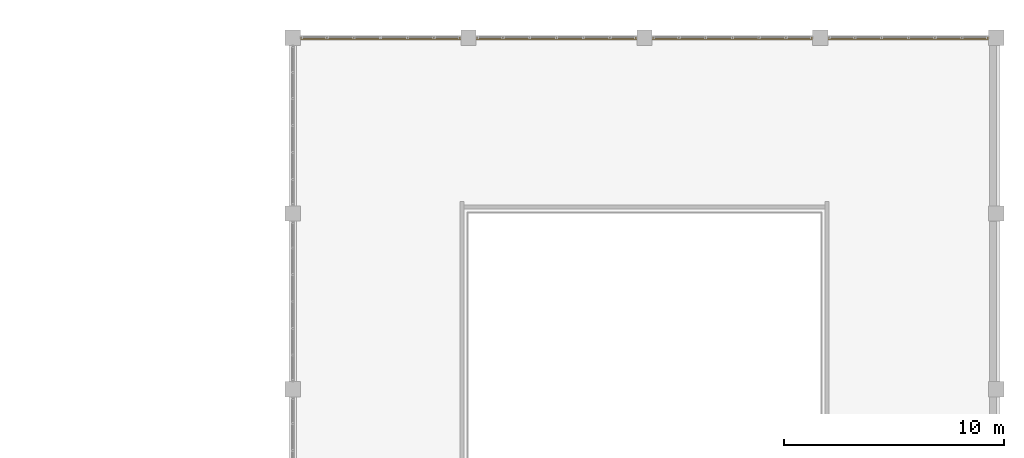
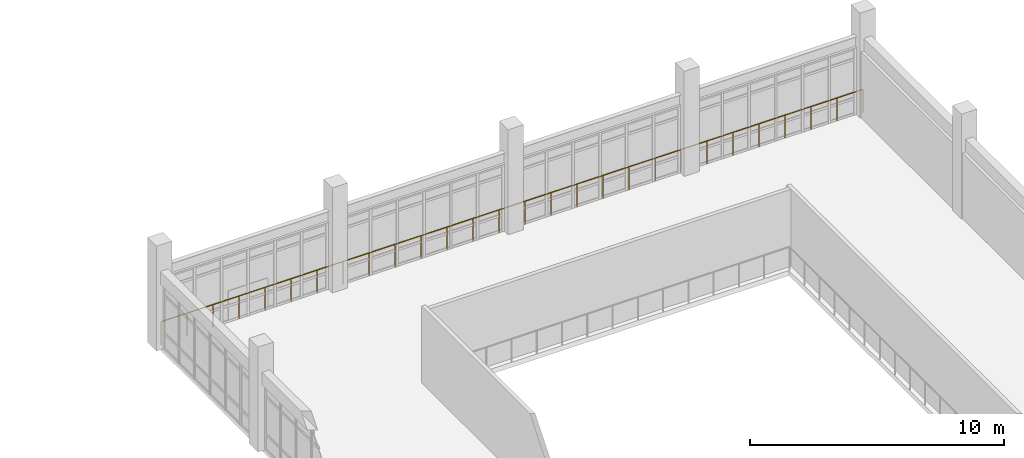
# One storey, part 159 of 159: 1 railing.
"""IFC4 building model written with IfcOpenShell, lengths in metres."""

from ifc_helpers import new_model, si_unit, direction, frame, origin, origin_2d, place, context, subcontext, project, spatial, circle, extrude, material, type_object, element, save


model = new_model("IFC4")

# Units and contexts
model_context = context("Model", 3, precision=1e-05, world=origin(), true_north=direction((0.0, 1.0)))
body_context = subcontext(model_context, "Body", "Model", "MODEL_VIEW")
ifc_project = project(units=[si_unit("LENGTHUNIT", "METRE"), si_unit("AREAUNIT", "SQUARE_METRE"), si_unit("VOLUMEUNIT", "CUBIC_METRE"), si_unit("PLANEANGLEUNIT", "RADIAN"), si_unit("MASSUNIT", "GRAM", prefix="KILO")], contexts=[model_context])

# Site, building, storey
site_placement = place(None, origin())
site = spatial("IfcSite", under=ifc_project, at=site_placement, CompositionType="ELEMENT")
building_placement = place(site_placement, origin())
building = spatial("IfcBuilding", under=site, at=building_placement, Name="Celadon Cloister-Ring School", CompositionType="ELEMENT")
storey_placement = place(building_placement, frame((0.0, 0.0, 4.5)))
storey = spatial("IfcBuildingStorey", under=building, at=storey_placement, Name="L01", CompositionType="ELEMENT", Elevation=4.5)

# Railing
ifc_material = material(Name="Structural steel S355JR", Category="steel")
railing_type = type_object("IfcRailingType", Name="RL-BL1", PredefinedType="BALUSTRADE", material=ifc_material)
railing_placement = place(storey_placement, frame((173.9599609375, 113.9599609375, 0.0)))
element("IfcRailing", 1, at=railing_placement, inside=storey, type_object=railing_type, Name="Terrace Balustrade 0415", PredefinedType="BALUSTRADE", context=body_context, shape_type="SweptSolid", body=[
    extrude(circle(Radius=0.02392578125, at=origin_2d()), frame((0.0, 0.0, 1.09619140625), z_axis=(-1.0, 0.0, 0.0), x_axis=(0.0, -1.0, 0.0)), (0.0, 0.0, 1.0), 31.919921875),
    extrude(circle(Radius=0.02099609375, at=origin_2d()), origin(), (0.0, 0.0, 1.0), 1.072021484375),
    extrude(circle(Radius=0.02099609375, at=origin_2d()), frame((-1.18212890625, 0.0, 0.0)), (0.0, 0.0, 1.0), 1.072021484375),
    extrude(circle(Radius=0.02099609375, at=origin_2d()), frame((-2.364501953125, 0.0, 0.0)), (0.0, 0.0, 1.0), 1.072021484375),
    extrude(circle(Radius=0.02099609375, at=origin_2d()), frame((-3.546630859375, 0.0, 0.0)), (0.0, 0.0, 1.0), 1.072021484375),
    extrude(circle(Radius=0.02099609375, at=origin_2d()), frame((-4.728759765625, 0.0, 0.0)), (0.0, 0.0, 1.0), 1.072021484375),
    extrude(circle(Radius=0.02099609375, at=origin_2d()), frame((-5.9111328125, 0.0, 0.0)), (0.0, 0.0, 1.0), 1.072021484375),
    extrude(circle(Radius=0.02099609375, at=origin_2d()), frame((-7.09326171875, 0.0, 0.0)), (0.0, 0.0, 1.0), 1.072021484375),
    extrude(circle(Radius=0.02099609375, at=origin_2d()), frame((-8.275634765625, 0.0, 0.0)), (0.0, 0.0, 1.0), 1.072021484375),
    extrude(circle(Radius=0.02099609375, at=origin_2d()), frame((-9.457763671875, 0.0, 0.0)), (0.0, 0.0, 1.0), 1.072021484375),
    extrude(circle(Radius=0.02099609375, at=origin_2d()), frame((-10.639892578125, 0.0, 0.0)), (0.0, 0.0, 1.0), 1.072021484375),
    extrude(circle(Radius=0.02099609375, at=origin_2d()), frame((-11.822265625, 0.0, 0.0)), (0.0, 0.0, 1.0), 1.072021484375),
    extrude(circle(Radius=0.02099609375, at=origin_2d()), frame((-13.00439453125, 0.0, 0.0)), (0.0, 0.0, 1.0), 1.072021484375),
    extrude(circle(Radius=0.02099609375, at=origin_2d()), frame((-14.1865234375, 0.0, 0.0)), (0.0, 0.0, 1.0), 1.072021484375),
    extrude(circle(Radius=0.02099609375, at=origin_2d()), frame((-15.368896484375, 0.0, 0.0)), (0.0, 0.0, 1.0), 1.072021484375),
    extrude(circle(Radius=0.02099609375, at=origin_2d()), frame((-16.551025390625, 0.0, 0.0)), (0.0, 0.0, 1.0), 1.072021484375),
    extrude(circle(Radius=0.02099609375, at=origin_2d()), frame((-17.7333984375, 0.0, 0.0)), (0.0, 0.0, 1.0), 1.072021484375),
    extrude(circle(Radius=0.02099609375, at=origin_2d()), frame((-18.91552734375, 0.0, 0.0)), (0.0, 0.0, 1.0), 1.072021484375),
    extrude(circle(Radius=0.02099609375, at=origin_2d()), frame((-20.09765625, 0.0, 0.0)), (0.0, 0.0, 1.0), 1.072021484375),
    extrude(circle(Radius=0.02099609375, at=origin_2d()), frame((-21.280029296875, 0.0, 0.0)), (0.0, 0.0, 1.0), 1.072021484375),
    extrude(circle(Radius=0.02099609375, at=origin_2d()), frame((-22.462158203125, 0.0, 0.0)), (0.0, 0.0, 1.0), 1.072021484375),
    extrude(circle(Radius=0.02099609375, at=origin_2d()), frame((-23.644287109375, 0.0, 0.0)), (0.0, 0.0, 1.0), 1.072021484375),
    extrude(circle(Radius=0.02099609375, at=origin_2d()), frame((-24.82666015625, 0.0, 0.0)), (0.0, 0.0, 1.0), 1.072021484375),
    extrude(circle(Radius=0.02099609375, at=origin_2d()), frame((-26.0087890625, 0.0, 0.0)), (0.0, 0.0, 1.0), 1.072021484375),
    extrude(circle(Radius=0.02099609375, at=origin_2d()), frame((-27.191162109375, 0.0, 0.0)), (0.0, 0.0, 1.0), 1.072021484375),
    extrude(circle(Radius=0.02099609375, at=origin_2d()), frame((-28.373291015625, 0.0, 0.0)), (0.0, 0.0, 1.0), 1.072021484375),
    extrude(circle(Radius=0.02099609375, at=origin_2d()), frame((-29.555419921875, 0.0, 0.0)), (0.0, 0.0, 1.0), 1.072021484375),
    extrude(circle(Radius=0.02099609375, at=origin_2d()), frame((-30.73779296875, 0.0, 0.0)), (0.0, 0.0, 1.0), 1.072021484375),
    extrude(circle(Radius=0.02099609375, at=origin_2d()), frame((-31.919921875, 0.0, 0.0)), (0.0, 0.0, 1.0), 1.072021484375),
])

save(model, "model.ifc")
